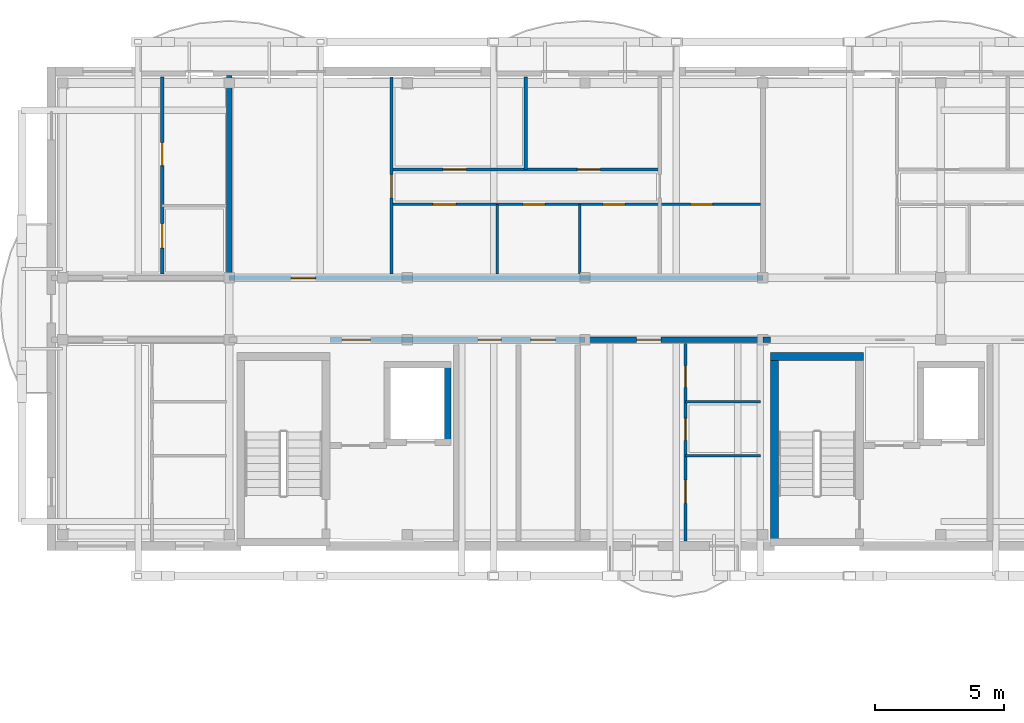
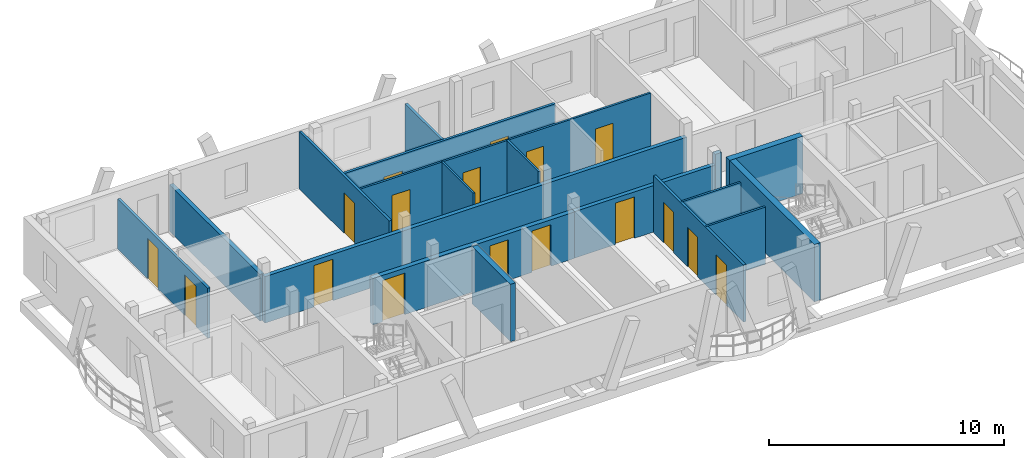
# One storey, part 14 of 21: 18 walls, 17 doors, 17 openings.
"""IFC4 building model written with IfcOpenShell, lengths in metres."""

from ifc_helpers import new_model, si_unit, direction, frame, frame_2d, origin, origin_with_axes, place, context, subcontext, project, spatial, rectangle, extrude, material, layer, layer_set, type_object, element, fill, save


model = new_model("IFC4")

# Units and contexts
model_context = context("Model", 3, precision=1e-05, world=origin(), true_north=direction((0.0, 1.0)))
body_context = subcontext(model_context, "Body", "Model", "MODEL_VIEW")
ifc_project = project(units=[si_unit("LENGTHUNIT", "METRE"), si_unit("AREAUNIT", "SQUARE_METRE"), si_unit("VOLUMEUNIT", "CUBIC_METRE"), si_unit("PLANEANGLEUNIT", "RADIAN"), si_unit("MASSUNIT", "GRAM", prefix="KILO")], contexts=[model_context])

# Site, building, storey
site_placement = place(None, origin())
site = spatial("IfcSite", under=ifc_project, at=site_placement, CompositionType="ELEMENT")
building_placement = place(site_placement, origin())
building = spatial("IfcBuilding", under=site, at=building_placement, Name="Zavelmont Quarter", CompositionType="ELEMENT")
storey_placement = place(building_placement, frame((0.0, 0.0, 36.800048828125)))
storey = spatial("IfcBuildingStorey", under=building, at=storey_placement, Name="L11", CompositionType="ELEMENT", Elevation=36.800048828125)

# Wall
ifc_material_1 = material(Name="Calcium-silicate blockwork and acoustic plaster", Category="masonry")
ifc_layer_1 = layer(ifc_material_1, 0.199951171875)
ifc_layer_set_1 = layer_set([ifc_layer_1], Name="Calcium-silicate blockwork and acoustic plaster")
wall_type_1 = type_object("IfcWallType", Name="IW01", PredefinedType="PARTITIONING", material=ifc_layer_set_1)
wall_1_placement = place(storey_placement, frame((6.89990234375, 108.14990234375, 0.0), z_axis=(0.0, 0.0, 1.0), x_axis=(0.0, 1.0, 0.0)))
element("IfcWall", 1, at=wall_1_placement, inside=storey, type_object=wall_type_1, Name="L11 Inter-dwelling compartment wall IW01", PredefinedType="PARTITIONING", context=body_context, shape_type="SweptSolid", body=[
    extrude(rectangle(XDim=7.7001953125, YDim=0.199951171875, at=frame_2d((3.85009765625, 0.0))), origin(), (0.0, 0.0, 1.0), 2.409912109375),
])

# Wall, opening, door
wall_2_placement = place(storey_placement, frame((6.89990234375, 108.0, 0.0), z_axis=(0.0, 0.0, 1.0), x_axis=(1.0, 0.0, 0.0)))
wall_2 = element("IfcWall", 2, at=wall_2_placement, inside=storey, type_object=wall_type_1, Name="L11 Corridor compartment wall IW01", PredefinedType="PARTITIONING", context=body_context, shape_type="SweptSolid", body=[
    extrude(rectangle(XDim=20.7001953125, YDim=0.199951171875, at=frame_2d((10.35009765625, 0.0))), origin(), (0.0, 0.0, 1.0), 2.409912109375),
])
opening_1_placement = place(wall_2_placement, frame((2.39990234375, 0.0, 0.0)))
opening_1 = element("IfcOpeningElement", 3, at=opening_1_placement, cuts=wall_2, Name="Opening DR02", PredefinedType="OPENING", context=body_context, shape_type="SweptSolid", body=[
    extrude(rectangle(XDim=0.949951171875, YDim=2.14990234375, at=frame_2d((0.47509765625, 1.074951171875))), frame((0.0, 0.11181640625, 0.0), z_axis=(0.0, -1.0, 0.0), x_axis=(1.0, 0.0, 0.0)), (0.0, 0.0, 1.0), 0.223876953125),
])
ifc_material_2 = material(Name="Solid-core oak fire leaf in steel frame", Category="steel")
door_type_1 = type_object("IfcDoorType", Name="DR02", OperationType="NOTDEFINED", PredefinedType="DOOR", material=ifc_material_2)
door_1_placement = place(opening_1_placement, origin_with_axes())
door_1 = element("IfcDoor", 4, at=door_1_placement, inside=storey, type_object=door_type_1, Name="L11 door DR02", OperationType="SINGLE_SWING_LEFT", OverallHeight=2.14990234375, OverallWidth=0.949951171875, PredefinedType="DOOR", context=body_context, shape_type="SweptSolid", body=[
    extrude(rectangle(XDim=0.949951171875, YDim=2.14990234375, at=frame_2d((0.47509765625, 1.074951171875))), frame((0.0, 0.02490234375, 0.0), z_axis=(0.0, -1.0, 0.0), x_axis=(1.0, 0.0, 0.0)), (0.0, 0.0, 1.0), 0.050048828125),
])
fill(opening_1, door_1)

wall_3_placement = place(storey_placement, frame((20.699951171875, 105.60009765625, 0.0), z_axis=(0.0, 0.0, 1.0), x_axis=(1.0, 0.0, 0.0)))
wall_3 = element("IfcWall", 5, at=wall_3_placement, inside=storey, type_object=wall_type_1, Name="L11 Corridor compartment wall IW01", PredefinedType="PARTITIONING", context=body_context, shape_type="SweptSolid", body=[
    extrude(rectangle(XDim=6.900146484375, YDim=0.199951171875, at=frame_2d((3.4501953125, 0.0))), origin(), (0.0, 0.0, 1.0), 2.409912109375),
])
opening_2_placement = place(wall_3_placement, frame((2.0, 0.0, 0.0)))
opening_2 = element("IfcOpeningElement", 6, at=opening_2_placement, cuts=wall_3, Name="Opening DR02", PredefinedType="OPENING", context=body_context, shape_type="SweptSolid", body=[
    extrude(rectangle(XDim=0.949951171875, YDim=2.14990234375, at=frame_2d((0.47509765625, 1.074951171875))), frame((0.0, 0.11181640625, 0.0), z_axis=(0.0, -1.0, 0.0), x_axis=(1.0, 0.0, 0.0)), (0.0, 0.0, 1.0), 0.223876953125),
])
door_2_placement = place(opening_2_placement, frame((0.949951171875, 0.0, 0.0), z_axis=(0.0, 0.0, 1.0), x_axis=(-1.0, 0.0, 0.0)))
door_2 = element("IfcDoor", 7, at=door_2_placement, inside=storey, type_object=door_type_1, Name="L11 door DR02", OperationType="SINGLE_SWING_LEFT", OverallHeight=2.14990234375, OverallWidth=0.949951171875, PredefinedType="DOOR", context=body_context, shape_type="SweptSolid", body=[
    extrude(rectangle(XDim=0.949951171875, YDim=2.14990234375, at=frame_2d((0.47509765625, 1.074951171875))), frame((0.0, 0.02490234375, 0.0), z_axis=(0.0, -1.0, 0.0), x_axis=(1.0, 0.0, 0.0)), (0.0, 0.0, 1.0), 0.050048828125),
])
fill(opening_2, door_2)

# Wall, openings, doors
ifc_material_3 = material(Name="Reinforced masonry fire compartment wall", Category="masonry")
ifc_layer_2 = layer(ifc_material_3, 0.22509765625)
ifc_layer_set_2 = layer_set([ifc_layer_2], Name="Reinforced masonry fire compartment wall")
wall_type_2 = type_object("IfcWallType", Name="IW02", PredefinedType="PARTITIONING", material=ifc_layer_set_2)
wall_4_placement = place(storey_placement, frame((10.800048828125, 105.60009765625, 0.0), z_axis=(0.0, 0.0, 1.0), x_axis=(1.0, 0.0, 0.0)))
wall_4 = element("IfcWall", 8, at=wall_4_placement, inside=storey, type_object=wall_type_2, Name="L11 Core corridor fire wall IW02", PredefinedType="PARTITIONING", context=body_context, shape_type="SweptSolid", body=[
    extrude(rectangle(XDim=9.89990234375, YDim=0.22509765625, at=frame_2d((4.949951171875, 0.0))), origin(), (0.0, 0.0, 1.0), 2.409912109375),
])
opening_3_placement = place(wall_4_placement, frame((0.47509765625, 0.0, 0.0)))
opening_3 = element("IfcOpeningElement", 9, at=opening_3_placement, cuts=wall_4, Name="Opening DR10", PredefinedType="OPENING", context=body_context, shape_type="SweptSolid", body=[
    extrude(rectangle(XDim=1.10009765625, YDim=2.14990234375, at=frame_2d((0.550048828125, 1.074951171875))), frame((0.0, 0.12451171875, 0.0), z_axis=(0.0, -1.0, 0.0), x_axis=(1.0, 0.0, 0.0)), (0.0, 0.0, 1.0), 0.2490234375),
])
opening_4_placement = place(wall_4_placement, frame((5.75, 0.0, 0.0)))
opening_4 = element("IfcOpeningElement", 10, at=opening_4_placement, cuts=wall_4, Name="Opening DR11", PredefinedType="OPENING", context=body_context, shape_type="SweptSolid", body=[
    extrude(rectangle(XDim=0.89990234375, YDim=2.10009765625, at=frame_2d((0.449951171875, 1.050048828125))), frame((0.0, 0.12451171875, 0.0), z_axis=(0.0, -1.0, 0.0), x_axis=(1.0, 0.0, 0.0)), (0.0, 0.0, 1.0), 0.2490234375),
])
opening_5_placement = place(wall_4_placement, frame((7.800048828125, 0.0, 0.0)))
opening_5 = element("IfcOpeningElement", 11, at=opening_5_placement, cuts=wall_4, Name="Opening DR02", PredefinedType="OPENING", context=body_context, shape_type="SweptSolid", body=[
    extrude(rectangle(XDim=0.949951171875, YDim=2.14990234375, at=frame_2d((0.47509765625, 1.074951171875))), frame((0.0, 0.12451171875, 0.0), z_axis=(0.0, -1.0, 0.0), x_axis=(1.0, 0.0, 0.0)), (0.0, 0.0, 1.0), 0.2490234375),
])
door_3_placement = place(opening_5_placement, origin_with_axes())
door_3 = element("IfcDoor", 12, at=door_3_placement, inside=storey, type_object=door_type_1, Name="Auxiliary store corridor door", OperationType="SINGLE_SWING_RIGHT", OverallHeight=2.14990234375, OverallWidth=0.949951171875, PredefinedType="DOOR", context=body_context, shape_type="SweptSolid", body=[
    extrude(rectangle(XDim=0.949951171875, YDim=2.14990234375, at=frame_2d((0.47509765625, 1.074951171875))), frame((0.0, 0.02490234375, 0.0), z_axis=(0.0, -1.0, 0.0), x_axis=(1.0, 0.0, 0.0)), (0.0, 0.0, 1.0), 0.050048828125),
])
fill(opening_5, door_3)
ifc_material_4 = material(Name="Painted steel lobby fire door", Category="steel")
door_type_2 = type_object("IfcDoorType", Name="DR10", OperationType="NOTDEFINED", PredefinedType="DOOR", material=ifc_material_4)
door_4_placement = place(opening_3_placement, frame((1.10009765625, 0.0, 0.0), z_axis=(0.0, 0.0, 1.0), x_axis=(-1.0, 0.0, 0.0)))
door_4 = element("IfcDoor", 13, at=door_4_placement, inside=storey, type_object=door_type_2, Name="Core vestibule fire door", OperationType="SINGLE_SWING_RIGHT", OverallHeight=2.14990234375, OverallWidth=1.10009765625, PredefinedType="DOOR", context=body_context, shape_type="SweptSolid", body=[
    extrude(rectangle(XDim=1.10009765625, YDim=2.14990234375, at=frame_2d((0.550048828125, 1.074951171875))), frame((0.0, 0.02490234375, 0.0), z_axis=(0.0, -1.0, 0.0), x_axis=(1.0, 0.0, 0.0)), (0.0, 0.0, 1.0), 0.050048828125),
])
fill(opening_3, door_4)
ifc_material_5 = material(Name="Painted steel service-riser fire door", Category="steel")
door_type_3 = type_object("IfcDoorType", Name="DR11", OperationType="NOTDEFINED", PredefinedType="DOOR", material=ifc_material_5)
door_5_placement = place(opening_4_placement, origin_with_axes())
door_5 = element("IfcDoor", 14, at=door_5_placement, inside=storey, type_object=door_type_3, Name="Service riser fire door", OperationType="SINGLE_SWING_LEFT", OverallHeight=2.10009765625, OverallWidth=0.89990234375, PredefinedType="DOOR", context=body_context, shape_type="SweptSolid", body=[
    extrude(rectangle(XDim=0.89990234375, YDim=2.10009765625, at=frame_2d((0.449951171875, 1.050048828125))), frame((0.0, 0.02490234375, 0.0), z_axis=(0.0, -1.0, 0.0), x_axis=(1.0, 0.0, 0.0)), (0.0, 0.0, 1.0), 0.050048828125),
])
fill(opening_4, door_5)

# Wall
wall_5_placement = place(storey_placement, frame((27.60009765625, 105.60009765625, 0.0), z_axis=(0.0, 0.0, 1.0), x_axis=(1.0, 0.0, 0.0)))
element("IfcWall", 15, at=wall_5_placement, inside=storey, type_object=wall_type_2, Name="L11 Core corridor wall IW02", PredefinedType="PARTITIONING", context=body_context, shape_type="SweptSolid", body=[
    extrude(rectangle(XDim=0.2998046875, YDim=0.22509765625, at=frame_2d((0.14990234375, 0.0))), origin(), (0.0, 0.0, 1.0), 2.969970703125),
])

# Wall, openings, doors
ifc_material_6 = material(Name="Double gypsum board on acoustic steel stud", Category="steel")
ifc_layer_3 = layer(ifc_material_6, 0.125)
ifc_layer_set_3 = layer_set([ifc_layer_3], Name="Double gypsum board on acoustic steel stud")
wall_type_3 = type_object("IfcWallType", Name="IW03", PredefinedType="PARTITIONING", material=ifc_layer_set_3)
wall_6_placement = place(storey_placement, frame((4.300048828125, 108.14990234375, 0.0), z_axis=(0.0, 0.0, 1.0), x_axis=(0.0, 1.0, 0.0)))
wall_6 = element("IfcWall", 16, at=wall_6_placement, inside=storey, type_object=wall_type_3, Name="L11 Partition IW03", PredefinedType="PARTITIONING", context=body_context, shape_type="SweptSolid", body=[
    extrude(rectangle(XDim=7.650146484375, YDim=0.125, at=frame_2d((3.8251953125, 0.0))), origin(), (0.0, 0.0, 1.0), 2.58984375),
])
opening_6_placement = place(wall_6_placement, frame((1.0, 0.0, 0.0)))
opening_6 = element("IfcOpeningElement", 17, at=opening_6_placement, cuts=wall_6, Name="Opening DR17", PredefinedType="OPENING", context=body_context, shape_type="SweptSolid", body=[
    extrude(rectangle(XDim=0.949951171875, YDim=2.10009765625, at=frame_2d((0.47509765625, 1.050048828125))), frame((0.0, 0.074462890625, 0.0), z_axis=(0.0, -1.0, 0.0), x_axis=(1.0, 0.0, 0.0)), (0.0, 0.0, 1.0), 0.14892578125),
])
opening_7_placement = place(wall_6_placement, frame((4.199951171875, 0.0, 0.0)))
opening_7 = element("IfcOpeningElement", 18, at=opening_7_placement, cuts=wall_6, Name="Opening DR05", PredefinedType="OPENING", context=body_context, shape_type="SweptSolid", body=[
    extrude(rectangle(XDim=0.89990234375, YDim=2.10009765625, at=frame_2d((0.449951171875, 1.050048828125))), frame((0.0, 0.074462890625, 0.0), z_axis=(0.0, -1.0, 0.0), x_axis=(1.0, 0.0, 0.0)), (0.0, 0.0, 1.0), 0.14892578125),
])
ifc_material_7 = material(Name="Engineered oak flush interior door")
door_type_4 = type_object("IfcDoorType", Name="DR05", OperationType="NOTDEFINED", PredefinedType="DOOR", material=ifc_material_7)
door_6_placement = place(opening_7_placement, origin_with_axes())
door_6 = element("IfcDoor", 19, at=door_6_placement, inside=storey, type_object=door_type_4, Name="L11 door DR05", OperationType="SINGLE_SWING_RIGHT", OverallHeight=2.10009765625, OverallWidth=0.89990234375, PredefinedType="DOOR", context=body_context, shape_type="SweptSolid", body=[
    extrude(rectangle(XDim=0.89990234375, YDim=2.10009765625, at=frame_2d((0.449951171875, 1.050048828125))), frame((0.0, 0.02490234375, 0.0), z_axis=(0.0, -1.0, 0.0), x_axis=(1.0, 0.0, 0.0)), (0.0, 0.0, 1.0), 0.050048828125),
])
fill(opening_7, door_6)
ifc_material_8 = material(Name="Accessible washroom flush door")
door_type_5 = type_object("IfcDoorType", Name="DR17", OperationType="NOTDEFINED", PredefinedType="DOOR", material=ifc_material_8)
door_7_placement = place(opening_6_placement, frame((0.949951171875, 0.0, 0.0), z_axis=(0.0, 0.0, 1.0), x_axis=(-1.0, 0.0, 0.0)))
door_7 = element("IfcDoor", 20, at=door_7_placement, inside=storey, type_object=door_type_5, Name="L11 door DR17", OperationType="SINGLE_SWING_LEFT", OverallHeight=2.10009765625, OverallWidth=0.949951171875, PredefinedType="DOOR", context=body_context, shape_type="SweptSolid", body=[
    extrude(rectangle(XDim=0.949951171875, YDim=2.10009765625, at=frame_2d((0.47509765625, 1.050048828125))), frame((0.0, 0.02490234375, 0.0), z_axis=(0.0, -1.0, 0.0), x_axis=(1.0, 0.0, 0.0)), (0.0, 0.0, 1.0), 0.050048828125),
])
fill(opening_6, door_7)

# Wall, opening, door
wall_7_placement = place(storey_placement, frame((13.199951171875, 108.14990234375, 0.0), z_axis=(0.0, 0.0, 1.0), x_axis=(0.0, 1.0, 0.0)))
wall_7 = element("IfcWall", 21, at=wall_7_placement, inside=storey, type_object=wall_type_3, Name="L11 Partition IW03", PredefinedType="PARTITIONING", context=body_context, shape_type="SweptSolid", body=[
    extrude(rectangle(XDim=7.650146484375, YDim=0.125, at=frame_2d((3.8251953125, 0.0))), origin(), (0.0, 0.0, 1.0), 2.969970703125),
])
opening_8_placement = place(wall_7_placement, frame((2.949951171875, 0.0, 0.0)))
opening_8 = element("IfcOpeningElement", 22, at=opening_8_placement, cuts=wall_7, Name="Opening DR05", PredefinedType="OPENING", context=body_context, shape_type="SweptSolid", body=[
    extrude(rectangle(XDim=0.89990234375, YDim=2.10009765625, at=frame_2d((0.449951171875, 1.050048828125))), frame((0.0, 0.074462890625, 0.0), z_axis=(0.0, -1.0, 0.0), x_axis=(1.0, 0.0, 0.0)), (0.0, 0.0, 1.0), 0.14892578125),
])
door_8_placement = place(opening_8_placement, origin_with_axes())
door_8 = element("IfcDoor", 23, at=door_8_placement, inside=storey, type_object=door_type_4, Name="L11 door DR05", OperationType="SINGLE_SWING_LEFT", OverallHeight=2.10009765625, OverallWidth=0.89990234375, PredefinedType="DOOR", context=body_context, shape_type="SweptSolid", body=[
    extrude(rectangle(XDim=0.89990234375, YDim=2.10009765625, at=frame_2d((0.449951171875, 1.050048828125))), frame((0.0, 0.02490234375, 0.0), z_axis=(0.0, -1.0, 0.0), x_axis=(1.0, 0.0, 0.0)), (0.0, 0.0, 1.0), 0.050048828125),
])
fill(opening_8, door_8)

# Wall
wall_8_placement = place(storey_placement, frame((18.39990234375, 112.199951171875, 0.0), z_axis=(0.0, 0.0, 1.0), x_axis=(0.0, 1.0, 0.0)))
element("IfcWall", 24, at=wall_8_placement, inside=storey, type_object=wall_type_3, Name="L11 Partition IW03", PredefinedType="PARTITIONING", context=body_context, shape_type="SweptSolid", body=[
    extrude(rectangle(XDim=3.60009765625, YDim=0.125, at=frame_2d((1.800048828125, 0.0))), origin(), (0.0, 0.0, 1.0), 2.58984375),
])

# Wall, openings, doors
wall_9_placement = place(storey_placement, frame((13.199951171875, 112.199951171875, 0.0), z_axis=(0.0, 0.0, 1.0), x_axis=(1.0, 0.0, 0.0)))
wall_9 = element("IfcWall", 25, at=wall_9_placement, inside=storey, type_object=wall_type_3, Name="L11 Partition IW03", PredefinedType="PARTITIONING", context=body_context, shape_type="SweptSolid", body=[
    extrude(rectangle(XDim=10.400146484375, YDim=0.125, at=frame_2d((5.2001953125, 0.0))), origin(), (0.0, 0.0, 1.0), 2.969970703125),
])
opening_9_placement = place(wall_9_placement, frame((2.0, 0.0, 0.0)))
opening_9 = element("IfcOpeningElement", 26, at=opening_9_placement, cuts=wall_9, Name="Opening DR05", PredefinedType="OPENING", context=body_context, shape_type="SweptSolid", body=[
    extrude(rectangle(XDim=0.89990234375, YDim=2.10009765625, at=frame_2d((0.449951171875, 1.050048828125))), frame((0.0, 0.074462890625, 0.0), z_axis=(0.0, -1.0, 0.0), x_axis=(1.0, 0.0, 0.0)), (0.0, 0.0, 1.0), 0.14892578125),
])
opening_10_placement = place(wall_9_placement, frame((7.199951171875, 0.0, 0.0)))
opening_10 = element("IfcOpeningElement", 27, at=opening_10_placement, cuts=wall_9, Name="Opening DR05", PredefinedType="OPENING", context=body_context, shape_type="SweptSolid", body=[
    extrude(rectangle(XDim=0.89990234375, YDim=2.10009765625, at=frame_2d((0.449951171875, 1.050048828125))), frame((0.0, 0.074462890625, 0.0), z_axis=(0.0, -1.0, 0.0), x_axis=(1.0, 0.0, 0.0)), (0.0, 0.0, 1.0), 0.14892578125),
])
door_9_placement = place(opening_9_placement, origin_with_axes())
door_9 = element("IfcDoor", 28, at=door_9_placement, inside=storey, type_object=door_type_4, Name="L11 door DR05", OperationType="SINGLE_SWING_LEFT", OverallHeight=2.10009765625, OverallWidth=0.89990234375, PredefinedType="DOOR", context=body_context, shape_type="SweptSolid", body=[
    extrude(rectangle(XDim=0.89990234375, YDim=2.10009765625, at=frame_2d((0.449951171875, 1.050048828125))), frame((0.0, 0.02490234375, 0.0), z_axis=(0.0, -1.0, 0.0), x_axis=(1.0, 0.0, 0.0)), (0.0, 0.0, 1.0), 0.050048828125),
])
fill(opening_9, door_9)
door_10_placement = place(opening_10_placement, frame((0.89990234375, 0.0, 0.0), z_axis=(0.0, 0.0, 1.0), x_axis=(-1.0, 0.0, 0.0)))
door_10 = element("IfcDoor", 29, at=door_10_placement, inside=storey, type_object=door_type_4, Name="L11 door DR05", OperationType="SINGLE_SWING_RIGHT", OverallHeight=2.10009765625, OverallWidth=0.89990234375, PredefinedType="DOOR", context=body_context, shape_type="SweptSolid", body=[
    extrude(rectangle(XDim=0.89990234375, YDim=2.10009765625, at=frame_2d((0.449951171875, 1.050048828125))), frame((0.0, 0.02490234375, 0.0), z_axis=(0.0, -1.0, 0.0), x_axis=(1.0, 0.0, 0.0)), (0.0, 0.0, 1.0), 0.050048828125),
])
fill(opening_10, door_10)

wall_10_placement = place(storey_placement, frame((24.60009765625, 105.449951171875, 0.0), z_axis=(0.0, 0.0, 1.0), x_axis=(0.0, -1.0, 0.0)))
wall_10 = element("IfcWall", 30, at=wall_10_placement, inside=storey, type_object=wall_type_3, Name="L11 Partition IW03", PredefinedType="PARTITIONING", context=body_context, shape_type="SweptSolid", body=[
    extrude(rectangle(XDim=7.64990234375, YDim=0.125, at=frame_2d((3.824951171875, 0.0))), origin(), (0.0, 0.0, 1.0), 2.969970703125),
])
opening_11_placement = place(wall_10_placement, frame((0.85009765625, 0.0, 0.0)))
opening_11 = element("IfcOpeningElement", 31, at=opening_11_placement, cuts=wall_10, Name="Opening DR16", PredefinedType="OPENING", context=body_context, shape_type="SweptSolid", body=[
    extrude(rectangle(XDim=0.85009765625, YDim=2.10009765625, at=frame_2d((0.425048828125, 1.050048828125))), frame((0.0, 0.074462890625, 0.0), z_axis=(0.0, -1.0, 0.0), x_axis=(1.0, 0.0, 0.0)), (0.0, 0.0, 1.0), 0.14892578125),
])
opening_12_placement = place(wall_10_placement, frame((2.89990234375, 0.0, 0.0)))
opening_12 = element("IfcOpeningElement", 32, at=opening_12_placement, cuts=wall_10, Name="Opening DR06", PredefinedType="OPENING", context=body_context, shape_type="SweptSolid", body=[
    extrude(rectangle(XDim=0.85009765625, YDim=2.050048828125, at=frame_2d((0.425048828125, 1.02490234375))), frame((0.0, 0.074462890625, 0.0), z_axis=(0.0, -1.0, 0.0), x_axis=(1.0, 0.0, 0.0)), (0.0, 0.0, 1.0), 0.14892578125),
])
opening_13_placement = place(wall_10_placement, frame((5.300048828125, 0.0, 0.0)))
opening_13 = element("IfcOpeningElement", 33, at=opening_13_placement, cuts=wall_10, Name="Opening DR05", PredefinedType="OPENING", context=body_context, shape_type="SweptSolid", body=[
    extrude(rectangle(XDim=0.89990234375, YDim=2.10009765625, at=frame_2d((0.449951171875, 1.050048828125))), frame((0.0, 0.074462890625, 0.0), z_axis=(0.0, -1.0, 0.0), x_axis=(1.0, 0.0, 0.0)), (0.0, 0.0, 1.0), 0.14892578125),
])
door_11_placement = place(opening_13_placement, frame((0.89990234375, 0.0, 0.0), z_axis=(0.0, 0.0, 1.0), x_axis=(-1.0, 0.0, 0.0)))
door_11 = element("IfcDoor", 34, at=door_11_placement, inside=storey, type_object=door_type_4, Name="L11 door DR05", OperationType="SINGLE_SWING_LEFT", OverallHeight=2.10009765625, OverallWidth=0.89990234375, PredefinedType="DOOR", context=body_context, shape_type="SweptSolid", body=[
    extrude(rectangle(XDim=0.89990234375, YDim=2.10009765625, at=frame_2d((0.449951171875, 1.050048828125))), frame((0.0, 0.02490234375, 0.0), z_axis=(0.0, -1.0, 0.0), x_axis=(1.0, 0.0, 0.0)), (0.0, 0.0, 1.0), 0.050048828125),
])
fill(opening_13, door_11)
ifc_material_9 = material(Name="Moisture-resistant painted wet-room door")
door_type_6 = type_object("IfcDoorType", Name="DR06", OperationType="NOTDEFINED", PredefinedType="DOOR", material=ifc_material_9)
door_12_placement = place(opening_12_placement, origin_with_axes())
door_12 = element("IfcDoor", 35, at=door_12_placement, inside=storey, type_object=door_type_6, Name="L11 door DR06", OperationType="SINGLE_SWING_RIGHT", OverallHeight=2.050048828125, OverallWidth=0.85009765625, PredefinedType="DOOR", context=body_context, shape_type="SweptSolid", body=[
    extrude(rectangle(XDim=0.85009765625, YDim=2.050048828125, at=frame_2d((0.425048828125, 1.02490234375))), frame((0.0, 0.02490234375, 0.0), z_axis=(0.0, -1.0, 0.0), x_axis=(1.0, 0.0, 0.0)), (0.0, 0.0, 1.0), 0.050048828125),
])
fill(opening_12, door_12)
door_type_7 = type_object("IfcDoorType", Name="DR16", OperationType="NOTDEFINED", PredefinedType="DOOR", material=ifc_material_7)
door_13_placement = place(opening_11_placement, frame((0.85009765625, 0.0, 0.0), z_axis=(0.0, 0.0, 1.0), x_axis=(-1.0, 0.0, 0.0)))
door_13 = element("IfcDoor", 36, at=door_13_placement, inside=storey, type_object=door_type_7, Name="L11 door DR16", OperationType="SINGLE_SWING_LEFT", OverallHeight=2.10009765625, OverallWidth=0.85009765625, PredefinedType="DOOR", context=body_context, shape_type="SweptSolid", body=[
    extrude(rectangle(XDim=0.85009765625, YDim=2.10009765625, at=frame_2d((0.425048828125, 1.050048828125))), frame((0.0, 0.02490234375, 0.0), z_axis=(0.0, -1.0, 0.0), x_axis=(1.0, 0.0, 0.0)), (0.0, 0.0, 1.0), 0.050048828125),
])
fill(opening_11, door_13)

# Walls
ifc_material_10 = material(Name="Moisture-resistant gypsum board on steel stud", Category="steel")
ifc_layer_4 = layer(ifc_material_10, 0.10009765625)
ifc_layer_set_4 = layer_set([ifc_layer_4], Name="Moisture-resistant gypsum board on steel stud")
wall_type_4 = type_object("IfcWallType", Name="IW04", PredefinedType="PARTITIONING", material=ifc_layer_set_4)
for number, where, z_axis, x_axis, name in (
    (37, (17.300048828125, 108.14990234375, 0.0), (0.0, 0.0, 1.0), (0.0, 1.0, 0.0), "L11 Partition IW04"),
    (38, (20.5, 108.14990234375, 0.0), (0.0, 0.0, 1.0), (0.0, 1.0, 0.0), "L11 Partition IW04"),
):
    element("IfcWall", number, at=place(storey_placement, frame(where, z_axis=z_axis, x_axis=x_axis)), inside=storey, type_object=wall_type_4, Name=name, PredefinedType="PARTITIONING", context=body_context, shape_type="SweptSolid", body=[
        extrude(rectangle(XDim=2.7001953125, YDim=0.10009765625, at=frame_2d((1.35009765625, 0.0))), origin(), (0.0, 0.0, 1.0), 2.969970703125),
    ])

# Wall, openings, doors
wall_11_placement = place(storey_placement, frame((13.199951171875, 110.85009765625, 0.0), z_axis=(0.0, 0.0, 1.0), x_axis=(1.0, 0.0, 0.0)))
wall_11 = element("IfcWall", 39, at=wall_11_placement, inside=storey, type_object=wall_type_4, Name="L11 Partition IW04", PredefinedType="PARTITIONING", context=body_context, shape_type="SweptSolid", body=[
    extrude(rectangle(XDim=14.300048828125, YDim=0.10009765625, at=frame_2d((7.14990234375, 0.0))), origin(), (0.0, 0.0, 1.0), 2.969970703125),
])
opening_14_placement = place(wall_11_placement, frame((1.60009765625, 0.0, 0.0)))
opening_14 = element("IfcOpeningElement", 40, at=opening_14_placement, cuts=wall_11, Name="Opening DR05", PredefinedType="OPENING", context=body_context, shape_type="SweptSolid", body=[
    extrude(rectangle(XDim=0.89990234375, YDim=2.10009765625, at=frame_2d((0.449951171875, 1.050048828125))), frame((0.0, 0.06201171875, 0.0), z_axis=(0.0, -1.0, 0.0), x_axis=(1.0, 0.0, 0.0)), (0.0, 0.0, 1.0), 0.1240234375),
])
opening_15_placement = place(wall_11_placement, frame((5.10009765625, 0.0, 0.0)))
opening_15 = element("IfcOpeningElement", 41, at=opening_15_placement, cuts=wall_11, Name="Opening DR06", PredefinedType="OPENING", context=body_context, shape_type="SweptSolid", body=[
    extrude(rectangle(XDim=0.85009765625, YDim=2.050048828125, at=frame_2d((0.425048828125, 1.02490234375))), frame((0.0, 0.06201171875, 0.0), z_axis=(0.0, -1.0, 0.0), x_axis=(1.0, 0.0, 0.0)), (0.0, 0.0, 1.0), 0.1240234375),
])
opening_16_placement = place(wall_11_placement, frame((8.199951171875, 0.0, 0.0)))
opening_16 = element("IfcOpeningElement", 42, at=opening_16_placement, cuts=wall_11, Name="Opening DR06", PredefinedType="OPENING", context=body_context, shape_type="SweptSolid", body=[
    extrude(rectangle(XDim=0.85009765625, YDim=2.050048828125, at=frame_2d((0.425048828125, 1.02490234375))), frame((0.0, 0.06201171875, 0.0), z_axis=(0.0, -1.0, 0.0), x_axis=(1.0, 0.0, 0.0)), (0.0, 0.0, 1.0), 0.1240234375),
])
opening_17_placement = place(wall_11_placement, frame((11.60009765625, 0.0, 0.0)))
opening_17 = element("IfcOpeningElement", 43, at=opening_17_placement, cuts=wall_11, Name="Opening DR06", PredefinedType="OPENING", context=body_context, shape_type="SweptSolid", body=[
    extrude(rectangle(XDim=0.85009765625, YDim=2.050048828125, at=frame_2d((0.425048828125, 1.02490234375))), frame((0.0, 0.06201171875, 0.0), z_axis=(0.0, -1.0, 0.0), x_axis=(1.0, 0.0, 0.0)), (0.0, 0.0, 1.0), 0.1240234375),
])
door_14_placement = place(opening_14_placement, origin_with_axes())
door_14 = element("IfcDoor", 44, at=door_14_placement, inside=storey, type_object=door_type_4, Name="L11 door DR05", OperationType="SINGLE_SWING_LEFT", OverallHeight=2.10009765625, OverallWidth=0.89990234375, PredefinedType="DOOR", context=body_context, shape_type="SweptSolid", body=[
    extrude(rectangle(XDim=0.89990234375, YDim=2.10009765625, at=frame_2d((0.449951171875, 1.050048828125))), frame((0.0, 0.02490234375, 0.0), z_axis=(0.0, -1.0, 0.0), x_axis=(1.0, 0.0, 0.0)), (0.0, 0.0, 1.0), 0.050048828125),
])
fill(opening_14, door_14)
door_15_placement = place(opening_15_placement, frame((0.85009765625, 0.0, 0.0), z_axis=(0.0, 0.0, 1.0), x_axis=(-1.0, 0.0, 0.0)))
door_15 = element("IfcDoor", 45, at=door_15_placement, inside=storey, type_object=door_type_6, Name="L11 door DR06", OperationType="SINGLE_SWING_RIGHT", OverallHeight=2.050048828125, OverallWidth=0.85009765625, PredefinedType="DOOR", context=body_context, shape_type="SweptSolid", body=[
    extrude(rectangle(XDim=0.85009765625, YDim=2.050048828125, at=frame_2d((0.425048828125, 1.02490234375))), frame((0.0, 0.02490234375, 0.0), z_axis=(0.0, -1.0, 0.0), x_axis=(1.0, 0.0, 0.0)), (0.0, 0.0, 1.0), 0.050048828125),
])
fill(opening_15, door_15)
door_16_placement = place(opening_16_placement, origin_with_axes())
door_16 = element("IfcDoor", 46, at=door_16_placement, inside=storey, type_object=door_type_6, Name="L11 door DR06", OperationType="SINGLE_SWING_LEFT", OverallHeight=2.050048828125, OverallWidth=0.85009765625, PredefinedType="DOOR", context=body_context, shape_type="SweptSolid", body=[
    extrude(rectangle(XDim=0.85009765625, YDim=2.050048828125, at=frame_2d((0.425048828125, 1.02490234375))), frame((0.0, 0.02490234375, 0.0), z_axis=(0.0, -1.0, 0.0), x_axis=(1.0, 0.0, 0.0)), (0.0, 0.0, 1.0), 0.050048828125),
])
fill(opening_16, door_16)
door_17_placement = place(opening_17_placement, frame((0.85009765625, 0.0, 0.0), z_axis=(0.0, 0.0, 1.0), x_axis=(-1.0, 0.0, 0.0)))
door_17 = element("IfcDoor", 47, at=door_17_placement, inside=storey, type_object=door_type_6, Name="L11 door DR06", OperationType="SINGLE_SWING_RIGHT", OverallHeight=2.050048828125, OverallWidth=0.85009765625, PredefinedType="DOOR", context=body_context, shape_type="SweptSolid", body=[
    extrude(rectangle(XDim=0.85009765625, YDim=2.050048828125, at=frame_2d((0.425048828125, 1.02490234375))), frame((0.0, 0.02490234375, 0.0), z_axis=(0.0, -1.0, 0.0), x_axis=(1.0, 0.0, 0.0)), (0.0, 0.0, 1.0), 0.050048828125),
])
fill(opening_17, door_17)

# Walls
for number, where, z_axis, x_axis, name in (
    (48, (24.60009765625, 103.199951171875, 0.0), (0.0, 0.0, 1.0), (1.0, 0.0, 0.0), "L11 Partition IW04"),
    (49, (24.60009765625, 101.10009765625, 0.0), (0.0, 0.0, 1.0), (1.0, 0.0, 0.0), "L11 Partition IW04"),
):
    element("IfcWall", number, at=place(storey_placement, frame(where, z_axis=z_axis, x_axis=x_axis)), inside=storey, type_object=wall_type_4, Name=name, PredefinedType="PARTITIONING", context=body_context, shape_type="SweptSolid", body=[
        extrude(rectangle(XDim=2.89990234375, YDim=0.10009765625, at=frame_2d((1.449951171875, 0.0))), origin(), (0.0, 0.0, 1.0), 2.969970703125),
    ])
ifc_material_11 = material(Name="Concrete C40/50", Category="concrete")
ifc_layer_5 = layer(ifc_material_11, 0.300048828125)
ifc_layer_set_5 = layer_set([ifc_layer_5], Name="Concrete C40/50")
wall_type_5 = type_object("IfcWallType", Name="SW01", PredefinedType="SHEAR", material=ifc_layer_set_5)
wall_12_placement = place(storey_placement, frame((27.89990234375, 104.949951171875, 0.0), z_axis=(0.0, 0.0, 1.0), x_axis=(1.0, 0.0, 0.0)))
element("IfcWall", 50, at=wall_12_placement, inside=storey, type_object=wall_type_5, Name="L11 ST04 corridor shear wall SW01", PredefinedType="SHEAR", context=body_context, shape_type="SweptSolid", body=[
    extrude(rectangle(XDim=3.60009765625, YDim=0.300048828125, at=frame_2d((1.800048828125, 0.0))), origin(), (0.0, 0.0, 1.0), 2.969970703125),
])
wall_13_placement = place(storey_placement, frame((28.050048828125, 97.60009765625, 0.0), z_axis=(0.0, 0.0, 1.0), x_axis=(0.0, 1.0, 0.0)))
element("IfcWall", 51, at=wall_13_placement, inside=storey, type_object=wall_type_5, Name="L11 ST04 west shear wall SW01", PredefinedType="SHEAR", context=body_context, shape_type="SweptSolid", body=[
    extrude(rectangle(XDim=7.5, YDim=0.300048828125, at=frame_2d((3.75, 0.0))), origin(), (0.0, 0.0, 1.0), 2.969970703125),
])
ifc_layer_6 = layer(ifc_material_11, 0.25)
ifc_layer_set_6 = layer_set([ifc_layer_6], Name="Concrete C40/50")
wall_type_6 = type_object("IfcWallType", Name="SW02", PredefinedType="SHEAR", material=ifc_layer_set_6)
wall_14_placement = place(storey_placement, frame((15.375, 101.5, 0.0), z_axis=(0.0, 0.0, 1.0), x_axis=(0.0, 1.0, 0.0)))
element("IfcWall", 52, at=wall_14_placement, inside=storey, type_object=wall_type_6, Name="L11 Lift FL02 east shaft wall SW02", PredefinedType="SHEAR", context=body_context, shape_type="SweptSolid", body=[
    extrude(rectangle(XDim=3.25, YDim=0.25, at=frame_2d((1.625, 0.0))), origin(), (0.0, 0.0, 1.0), 2.969970703125),
])

save(model, "model.ifc")
